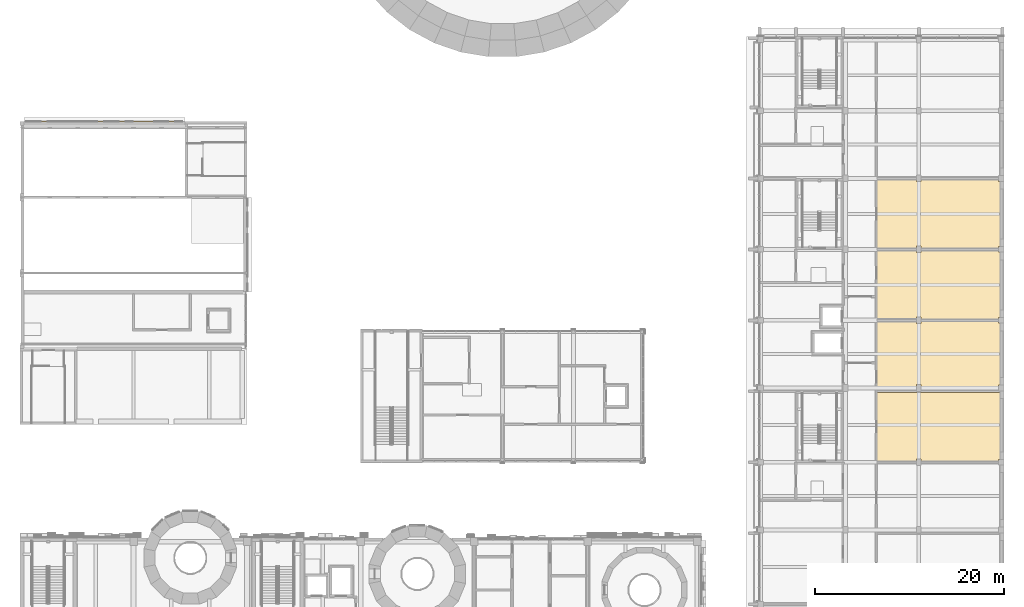
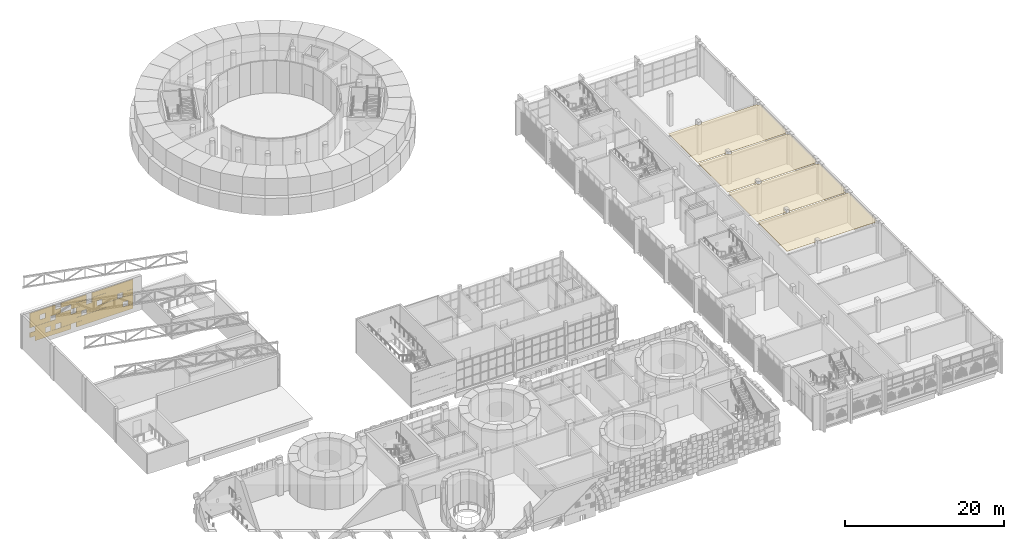
# One storey, part 116 of 125: 5 coverings.
"""IFC4 building model written with IfcOpenShell, lengths in metres."""

from ifc_helpers import new_model, si_unit, direction, frame, origin, origin_2d, place, context, subcontext, project, spatial, polyline, rectangle, outline, extrude, material, layer, layer_set, type_object, element, save


model = new_model("IFC4")

# Units and contexts
model_context = context("Model", 3, precision=1e-05, world=origin(), true_north=direction((0.0, 1.0)))
body_context = subcontext(model_context, "Body", "Model", "MODEL_VIEW")
ifc_project = project(units=[si_unit("LENGTHUNIT", "METRE"), si_unit("AREAUNIT", "SQUARE_METRE"), si_unit("VOLUMEUNIT", "CUBIC_METRE"), si_unit("PLANEANGLEUNIT", "RADIAN"), si_unit("MASSUNIT", "GRAM", prefix="KILO")], contexts=[model_context])

# Site, building, storey
site_placement = place(None, origin())
site = spatial("IfcSite", under=ifc_project, at=site_placement, CompositionType="ELEMENT")
building_placement = place(site_placement, origin())
building = spatial("IfcBuilding", under=site, at=building_placement, Name="Sun Court Science Centre", CompositionType="ELEMENT")
storey_placement = place(building_placement, frame((0.0, 0.0, 6.0)))
storey = spatial("IfcBuildingStorey", under=building, at=storey_placement, Name="L01", CompositionType="ELEMENT", Elevation=6.0)

# Coverings
ifc_material_1 = material(Name="Gypsum board")
ifc_layer_1 = layer(ifc_material_1, 0.030029296875)
ifc_layer_set_1 = layer_set([ifc_layer_1], Name="Gypsum board")
covering_type_1 = type_object("IfcCoveringType", Name="Ceiling suspended 600 module", PredefinedType="CEILING", material=ifc_layer_set_1)
covering_1_placement = place(storey_placement, frame((0.0, 0.0, 4.52001953125)))
element("IfcCovering", 1, at=covering_1_placement, inside=storey, type_object=covering_type_1, Name="L01-054 ceiling", PredefinedType="CEILING", context=body_context, shape_type="SweptSolid", body=[
    extrude(outline(polyline([(103.39990234375, 36.10009765625), (95.25, 36.10009765625), (95.25, 36.35009765625), (94.75, 36.35009765625), (94.75, 36.10009765625), (90.60009765625, 36.10009765625), (90.60009765625, 43.39990234375), (103.800048828125, 43.39990234375), (103.800048828125, 36.300048828125), (103.39990234375, 36.300048828125), (103.39990234375, 36.10009765625)])), origin(), (0.0, 0.0, 1.0), 0.030029296875),
])
covering_2_placement = place(storey_placement, frame((0.0, 0.0, 4.52001953125)))
element("IfcCovering", 2, at=covering_2_placement, inside=storey, type_object=covering_type_1, Name="L01-055 ceiling", PredefinedType="CEILING", context=body_context, shape_type="SweptSolid", body=[
    extrude(outline(polyline([(103.39990234375, 43.60009765625), (95.25, 43.60009765625), (95.25, 44.199951171875), (94.75, 44.199951171875), (94.75, 43.60009765625), (90.60009765625, 43.60009765625), (90.60009765625, 50.89990234375), (94.75, 50.89990234375), (94.75, 50.64990234375), (95.25, 50.64990234375), (95.25, 50.89990234375), (103.39990234375, 50.89990234375), (103.39990234375, 50.699951171875), (103.800048828125, 50.699951171875), (103.800048828125, 44.14990234375), (103.39990234375, 44.14990234375), (103.39990234375, 43.60009765625)])), origin(), (0.0, 0.0, 1.0), 0.030029296875),
])
covering_3_placement = place(storey_placement, frame((0.0, 0.0, 4.52001953125)))
element("IfcCovering", 3, at=covering_3_placement, inside=storey, type_object=covering_type_1, Name="L01-056 ceiling", PredefinedType="CEILING", context=body_context, shape_type="SweptSolid", body=[
    extrude(outline(polyline([(103.39990234375, 51.10009765625), (95.25, 51.10009765625), (95.25, 51.35009765625), (94.75, 51.35009765625), (94.75, 51.10009765625), (90.60009765625, 51.10009765625), (90.60009765625, 58.39990234375), (94.75, 58.39990234375), (94.75, 58.14990234375), (95.25, 58.14990234375), (95.25, 58.39990234375), (103.39990234375, 58.39990234375), (103.39990234375, 58.199951171875), (103.800048828125, 58.199951171875), (103.800048828125, 51.300048828125), (103.39990234375, 51.300048828125), (103.39990234375, 51.10009765625)])), origin(), (0.0, 0.0, 1.0), 0.030029296875),
])
covering_4_placement = place(storey_placement, frame((0.0, 0.0, 4.52001953125)))
element("IfcCovering", 4, at=covering_4_placement, inside=storey, type_object=covering_type_1, Name="L01-057 ceiling", PredefinedType="CEILING", context=body_context, shape_type="SweptSolid", body=[
    extrude(outline(polyline([(103.39990234375, 58.60009765625), (95.25, 58.60009765625), (95.25, 58.85009765625), (94.75, 58.85009765625), (94.75, 58.60009765625), (90.60009765625, 58.60009765625), (90.60009765625, 65.89990234375), (94.75, 65.89990234375), (94.75, 65.64990234375), (95.25, 65.64990234375), (95.25, 65.89990234375), (103.39990234375, 65.89990234375), (103.39990234375, 65.699951171875), (103.800048828125, 65.699951171875), (103.800048828125, 58.800048828125), (103.39990234375, 58.800048828125), (103.39990234375, 58.60009765625)])), origin(), (0.0, 0.0, 1.0), 0.030029296875),
])
ifc_material_2 = material(Name="Red sandstone", Category="masonry")
ifc_layer_2 = layer(ifc_material_2, 0.06005859375)
ifc_layer_set_2 = layer_set([ifc_layer_2], Name="Red sandstone")
covering_type_2 = type_object("IfcCoveringType", Name="Red sandstone wall cladding 750", PredefinedType="CLADDING", material=ifc_layer_set_2)
covering_5_placement = place(storey_placement, frame((0.0, 0.0, -6.0)))
element("IfcCovering", 5, at=covering_5_placement, inside=storey, type_object=covering_type_2, Name="Red sandstone wall cladding theatre-STAGE-north face-L01 L01", PredefinedType="CLADDING", context=body_context, shape_type="SweptSolid", body=[
    extrude(rectangle(XDim=0.739990234375, YDim=0.06005859375, at=origin_2d()), frame((2.550048828125, 72.030029296875, 6.0048828125), z_axis=(0.0, 0.0, 1.0), x_axis=(1.0, 0.0, 0.0)), (0.0, 0.0, 1.0), 0.739990234375),
    extrude(rectangle(XDim=0.739990234375, YDim=0.06005859375, at=origin_2d()), frame((3.300048828125, 72.030029296875, 6.0048828125), z_axis=(0.0, 0.0, 1.0), x_axis=(1.0, 0.0, 0.0)), (0.0, 0.0, 1.0), 0.739990234375),
    extrude(rectangle(XDim=0.739990234375, YDim=0.06005859375, at=origin_2d()), frame((4.050048828125, 72.030029296875, 6.0048828125), z_axis=(0.0, 0.0, 1.0), x_axis=(1.0, 0.0, 0.0)), (0.0, 0.0, 1.0), 0.739990234375),
    extrude(rectangle(XDim=0.739990234375, YDim=0.06005859375, at=origin_2d()), frame((4.800048828125, 72.030029296875, 6.0048828125), z_axis=(0.0, 0.0, 1.0), x_axis=(1.0, 0.0, 0.0)), (0.0, 0.0, 1.0), 0.739990234375),
    extrude(rectangle(XDim=0.739990234375, YDim=0.06005859375, at=origin_2d()), frame((5.550048828125, 72.030029296875, 6.0048828125), z_axis=(0.0, 0.0, 1.0), x_axis=(1.0, 0.0, 0.0)), (0.0, 0.0, 1.0), 0.739990234375),
    extrude(rectangle(XDim=0.739990234375, YDim=0.06005859375, at=origin_2d()), frame((6.300048828125, 72.030029296875, 6.0048828125), z_axis=(0.0, 0.0, 1.0), x_axis=(1.0, 0.0, 0.0)), (0.0, 0.0, 1.0), 0.739990234375),
    extrude(rectangle(XDim=0.739990234375, YDim=0.06005859375, at=origin_2d()), frame((7.050048828125, 72.030029296875, 6.0048828125), z_axis=(0.0, 0.0, 1.0), x_axis=(1.0, 0.0, 0.0)), (0.0, 0.0, 1.0), 0.739990234375),
    extrude(rectangle(XDim=0.739990234375, YDim=0.06005859375, at=origin_2d()), frame((8.550048828125, 72.030029296875, 6.0048828125), z_axis=(0.0, 0.0, 1.0), x_axis=(1.0, 0.0, 0.0)), (0.0, 0.0, 1.0), 0.739990234375),
    extrude(rectangle(XDim=0.739990234375, YDim=0.06005859375, at=origin_2d()), frame((9.300048828125, 72.030029296875, 6.0048828125), z_axis=(0.0, 0.0, 1.0), x_axis=(1.0, 0.0, 0.0)), (0.0, 0.0, 1.0), 0.739990234375),
    extrude(rectangle(XDim=0.739990234375, YDim=0.06005859375, at=origin_2d()), frame((10.050048828125, 72.030029296875, 6.0048828125), z_axis=(0.0, 0.0, 1.0), x_axis=(1.0, 0.0, 0.0)), (0.0, 0.0, 1.0), 0.739990234375),
    extrude(rectangle(XDim=0.739990234375, YDim=0.06005859375, at=origin_2d()), frame((10.800048828125, 72.030029296875, 6.0048828125), z_axis=(0.0, 0.0, 1.0), x_axis=(1.0, 0.0, 0.0)), (0.0, 0.0, 1.0), 0.739990234375),
    extrude(rectangle(XDim=0.739990234375, YDim=0.06005859375, at=origin_2d()), frame((11.550048828125, 72.030029296875, 6.0048828125), z_axis=(0.0, 0.0, 1.0), x_axis=(1.0, 0.0, 0.0)), (0.0, 0.0, 1.0), 0.739990234375),
    extrude(rectangle(XDim=0.739990234375, YDim=0.06005859375, at=origin_2d()), frame((12.300048828125, 72.030029296875, 6.0048828125), z_axis=(0.0, 0.0, 1.0), x_axis=(1.0, 0.0, 0.0)), (0.0, 0.0, 1.0), 0.739990234375),
    extrude(rectangle(XDim=0.739990234375, YDim=0.06005859375, at=origin_2d()), frame((13.050048828125, 72.030029296875, 6.0048828125), z_axis=(0.0, 0.0, 1.0), x_axis=(1.0, 0.0, 0.0)), (0.0, 0.0, 1.0), 0.739990234375),
    extrude(rectangle(XDim=0.739990234375, YDim=0.06005859375, at=origin_2d()), frame((13.800048828125, 72.030029296875, 6.0048828125), z_axis=(0.0, 0.0, 1.0), x_axis=(1.0, 0.0, 0.0)), (0.0, 0.0, 1.0), 0.739990234375),
    extrude(rectangle(XDim=0.739990234375, YDim=0.06005859375, at=origin_2d()), frame((14.550048828125, 72.030029296875, 6.0048828125), z_axis=(0.0, 0.0, 1.0), x_axis=(1.0, 0.0, 0.0)), (0.0, 0.0, 1.0), 0.739990234375),
    extrude(rectangle(XDim=0.739990234375, YDim=0.06005859375, at=origin_2d()), frame((15.300048828125, 72.030029296875, 6.0048828125), z_axis=(0.0, 0.0, 1.0), x_axis=(1.0, 0.0, 0.0)), (0.0, 0.0, 1.0), 0.739990234375),
    extrude(rectangle(XDim=0.739990234375, YDim=0.06005859375, at=origin_2d()), frame((16.050048828125, 72.030029296875, 6.0048828125), z_axis=(0.0, 0.0, 1.0), x_axis=(1.0, 0.0, 0.0)), (0.0, 0.0, 1.0), 0.739990234375),
    extrude(rectangle(XDim=0.739990234375, YDim=0.06005859375, at=origin_2d()), frame((1.800048828125, 72.030029296875, 6.7548828125), z_axis=(0.0, 0.0, 1.0), x_axis=(1.0, 0.0, 0.0)), (0.0, 0.0, 1.0), 0.739990234375),
    extrude(rectangle(XDim=0.739990234375, YDim=0.06005859375, at=origin_2d()), frame((2.550048828125, 72.030029296875, 6.7548828125), z_axis=(0.0, 0.0, 1.0), x_axis=(1.0, 0.0, 0.0)), (0.0, 0.0, 1.0), 0.739990234375),
    extrude(rectangle(XDim=0.739990234375, YDim=0.06005859375, at=origin_2d()), frame((3.300048828125, 72.030029296875, 6.7548828125), z_axis=(0.0, 0.0, 1.0), x_axis=(1.0, 0.0, 0.0)), (0.0, 0.0, 1.0), 0.739990234375),
    extrude(rectangle(XDim=0.739990234375, YDim=0.06005859375, at=origin_2d()), frame((4.800048828125, 72.030029296875, 6.7548828125), z_axis=(0.0, 0.0, 1.0), x_axis=(1.0, 0.0, 0.0)), (0.0, 0.0, 1.0), 0.739990234375),
    extrude(rectangle(XDim=0.739990234375, YDim=0.06005859375, at=origin_2d()), frame((6.300048828125, 72.030029296875, 6.7548828125), z_axis=(0.0, 0.0, 1.0), x_axis=(1.0, 0.0, 0.0)), (0.0, 0.0, 1.0), 0.739990234375),
    extrude(rectangle(XDim=0.739990234375, YDim=0.06005859375, at=origin_2d()), frame((7.050048828125, 72.030029296875, 6.7548828125), z_axis=(0.0, 0.0, 1.0), x_axis=(1.0, 0.0, 0.0)), (0.0, 0.0, 1.0), 0.739990234375),
    extrude(rectangle(XDim=0.739990234375, YDim=0.06005859375, at=origin_2d()), frame((7.800048828125, 72.030029296875, 6.7548828125), z_axis=(0.0, 0.0, 1.0), x_axis=(1.0, 0.0, 0.0)), (0.0, 0.0, 1.0), 0.739990234375),
    extrude(rectangle(XDim=0.739990234375, YDim=0.06005859375, at=origin_2d()), frame((8.550048828125, 72.030029296875, 6.7548828125), z_axis=(0.0, 0.0, 1.0), x_axis=(1.0, 0.0, 0.0)), (0.0, 0.0, 1.0), 0.739990234375),
    extrude(rectangle(XDim=0.739990234375, YDim=0.06005859375, at=origin_2d()), frame((9.300048828125, 72.030029296875, 6.7548828125), z_axis=(0.0, 0.0, 1.0), x_axis=(1.0, 0.0, 0.0)), (0.0, 0.0, 1.0), 0.739990234375),
    extrude(rectangle(XDim=0.739990234375, YDim=0.06005859375, at=origin_2d()), frame((10.050048828125, 72.030029296875, 6.7548828125), z_axis=(0.0, 0.0, 1.0), x_axis=(1.0, 0.0, 0.0)), (0.0, 0.0, 1.0), 0.739990234375),
    extrude(rectangle(XDim=0.739990234375, YDim=0.06005859375, at=origin_2d()), frame((10.800048828125, 72.030029296875, 6.7548828125), z_axis=(0.0, 0.0, 1.0), x_axis=(1.0, 0.0, 0.0)), (0.0, 0.0, 1.0), 0.739990234375),
    extrude(rectangle(XDim=0.739990234375, YDim=0.06005859375, at=origin_2d()), frame((11.550048828125, 72.030029296875, 6.7548828125), z_axis=(0.0, 0.0, 1.0), x_axis=(1.0, 0.0, 0.0)), (0.0, 0.0, 1.0), 0.739990234375),
    extrude(rectangle(XDim=0.739990234375, YDim=0.06005859375, at=origin_2d()), frame((12.300048828125, 72.030029296875, 6.7548828125), z_axis=(0.0, 0.0, 1.0), x_axis=(1.0, 0.0, 0.0)), (0.0, 0.0, 1.0), 0.739990234375),
    extrude(rectangle(XDim=0.739990234375, YDim=0.06005859375, at=origin_2d()), frame((13.050048828125, 72.030029296875, 6.7548828125), z_axis=(0.0, 0.0, 1.0), x_axis=(1.0, 0.0, 0.0)), (0.0, 0.0, 1.0), 0.739990234375),
    extrude(rectangle(XDim=0.739990234375, YDim=0.06005859375, at=origin_2d()), frame((13.800048828125, 72.030029296875, 6.7548828125), z_axis=(0.0, 0.0, 1.0), x_axis=(1.0, 0.0, 0.0)), (0.0, 0.0, 1.0), 0.739990234375),
    extrude(rectangle(XDim=0.739990234375, YDim=0.06005859375, at=origin_2d()), frame((14.550048828125, 72.030029296875, 6.7548828125), z_axis=(0.0, 0.0, 1.0), x_axis=(1.0, 0.0, 0.0)), (0.0, 0.0, 1.0), 0.739990234375),
    extrude(rectangle(XDim=0.739990234375, YDim=0.06005859375, at=origin_2d()), frame((16.050048828125, 72.030029296875, 6.7548828125), z_axis=(0.0, 0.0, 1.0), x_axis=(1.0, 0.0, 0.0)), (0.0, 0.0, 1.0), 0.739990234375),
    extrude(rectangle(XDim=0.739990234375, YDim=0.06005859375, at=origin_2d()), frame((2.550048828125, 72.030029296875, 7.5048828125), z_axis=(0.0, 0.0, 1.0), x_axis=(1.0, 0.0, 0.0)), (0.0, 0.0, 1.0), 0.739990234375),
    extrude(rectangle(XDim=0.739990234375, YDim=0.06005859375, at=origin_2d()), frame((3.300048828125, 72.030029296875, 7.5048828125), z_axis=(0.0, 0.0, 1.0), x_axis=(1.0, 0.0, 0.0)), (0.0, 0.0, 1.0), 0.739990234375),
    extrude(rectangle(XDim=0.739990234375, YDim=0.06005859375, at=origin_2d()), frame((4.050048828125, 72.030029296875, 7.5048828125), z_axis=(0.0, 0.0, 1.0), x_axis=(1.0, 0.0, 0.0)), (0.0, 0.0, 1.0), 0.739990234375),
    extrude(rectangle(XDim=0.739990234375, YDim=0.06005859375, at=origin_2d()), frame((4.800048828125, 72.030029296875, 7.5048828125), z_axis=(0.0, 0.0, 1.0), x_axis=(1.0, 0.0, 0.0)), (0.0, 0.0, 1.0), 0.739990234375),
    extrude(rectangle(XDim=0.739990234375, YDim=0.06005859375, at=origin_2d()), frame((5.550048828125, 72.030029296875, 7.5048828125), z_axis=(0.0, 0.0, 1.0), x_axis=(1.0, 0.0, 0.0)), (0.0, 0.0, 1.0), 0.739990234375),
    extrude(rectangle(XDim=0.739990234375, YDim=0.06005859375, at=origin_2d()), frame((6.300048828125, 72.030029296875, 7.5048828125), z_axis=(0.0, 0.0, 1.0), x_axis=(1.0, 0.0, 0.0)), (0.0, 0.0, 1.0), 0.739990234375),
    extrude(rectangle(XDim=0.739990234375, YDim=0.06005859375, at=origin_2d()), frame((7.050048828125, 72.030029296875, 7.5048828125), z_axis=(0.0, 0.0, 1.0), x_axis=(1.0, 0.0, 0.0)), (0.0, 0.0, 1.0), 0.739990234375),
    extrude(rectangle(XDim=0.739990234375, YDim=0.06005859375, at=origin_2d()), frame((7.800048828125, 72.030029296875, 7.5048828125), z_axis=(0.0, 0.0, 1.0), x_axis=(1.0, 0.0, 0.0)), (0.0, 0.0, 1.0), 0.739990234375),
    extrude(rectangle(XDim=0.739990234375, YDim=0.06005859375, at=origin_2d()), frame((8.550048828125, 72.030029296875, 7.5048828125), z_axis=(0.0, 0.0, 1.0), x_axis=(1.0, 0.0, 0.0)), (0.0, 0.0, 1.0), 0.739990234375),
    extrude(rectangle(XDim=0.739990234375, YDim=0.06005859375, at=origin_2d()), frame((10.050048828125, 72.030029296875, 7.5048828125), z_axis=(0.0, 0.0, 1.0), x_axis=(1.0, 0.0, 0.0)), (0.0, 0.0, 1.0), 0.739990234375),
    extrude(rectangle(XDim=0.739990234375, YDim=0.06005859375, at=origin_2d()), frame((10.800048828125, 72.030029296875, 7.5048828125), z_axis=(0.0, 0.0, 1.0), x_axis=(1.0, 0.0, 0.0)), (0.0, 0.0, 1.0), 0.739990234375),
    extrude(rectangle(XDim=0.739990234375, YDim=0.06005859375, at=origin_2d()), frame((11.550048828125, 72.030029296875, 7.5048828125), z_axis=(0.0, 0.0, 1.0), x_axis=(1.0, 0.0, 0.0)), (0.0, 0.0, 1.0), 0.739990234375),
    extrude(rectangle(XDim=0.739990234375, YDim=0.06005859375, at=origin_2d()), frame((12.300048828125, 72.030029296875, 7.5048828125), z_axis=(0.0, 0.0, 1.0), x_axis=(1.0, 0.0, 0.0)), (0.0, 0.0, 1.0), 0.739990234375),
    extrude(rectangle(XDim=0.739990234375, YDim=0.06005859375, at=origin_2d()), frame((13.050048828125, 72.030029296875, 7.5048828125), z_axis=(0.0, 0.0, 1.0), x_axis=(1.0, 0.0, 0.0)), (0.0, 0.0, 1.0), 0.739990234375),
    extrude(rectangle(XDim=0.739990234375, YDim=0.06005859375, at=origin_2d()), frame((13.800048828125, 72.030029296875, 7.5048828125), z_axis=(0.0, 0.0, 1.0), x_axis=(1.0, 0.0, 0.0)), (0.0, 0.0, 1.0), 0.739990234375),
    extrude(rectangle(XDim=0.739990234375, YDim=0.06005859375, at=origin_2d()), frame((14.550048828125, 72.030029296875, 7.5048828125), z_axis=(0.0, 0.0, 1.0), x_axis=(1.0, 0.0, 0.0)), (0.0, 0.0, 1.0), 0.739990234375),
    extrude(rectangle(XDim=0.739990234375, YDim=0.06005859375, at=origin_2d()), frame((15.300048828125, 72.030029296875, 7.5048828125), z_axis=(0.0, 0.0, 1.0), x_axis=(1.0, 0.0, 0.0)), (0.0, 0.0, 1.0), 0.739990234375),
    extrude(rectangle(XDim=0.739990234375, YDim=0.06005859375, at=origin_2d()), frame((16.050048828125, 72.030029296875, 7.5048828125), z_axis=(0.0, 0.0, 1.0), x_axis=(1.0, 0.0, 0.0)), (0.0, 0.0, 1.0), 0.739990234375),
    extrude(rectangle(XDim=0.739990234375, YDim=0.06005859375, at=origin_2d()), frame((1.800048828125, 72.030029296875, 8.2548828125), z_axis=(0.0, 0.0, 1.0), x_axis=(1.0, 0.0, 0.0)), (0.0, 0.0, 1.0), 0.739990234375),
    extrude(rectangle(XDim=0.739990234375, YDim=0.06005859375, at=origin_2d()), frame((2.550048828125, 72.030029296875, 8.2548828125), z_axis=(0.0, 0.0, 1.0), x_axis=(1.0, 0.0, 0.0)), (0.0, 0.0, 1.0), 0.739990234375),
    extrude(rectangle(XDim=0.739990234375, YDim=0.06005859375, at=origin_2d()), frame((3.300048828125, 72.030029296875, 8.2548828125), z_axis=(0.0, 0.0, 1.0), x_axis=(1.0, 0.0, 0.0)), (0.0, 0.0, 1.0), 0.739990234375),
    extrude(rectangle(XDim=0.739990234375, YDim=0.06005859375, at=origin_2d()), frame((4.050048828125, 72.030029296875, 8.2548828125), z_axis=(0.0, 0.0, 1.0), x_axis=(1.0, 0.0, 0.0)), (0.0, 0.0, 1.0), 0.739990234375),
    extrude(rectangle(XDim=0.739990234375, YDim=0.06005859375, at=origin_2d()), frame((5.550048828125, 72.030029296875, 8.2548828125), z_axis=(0.0, 0.0, 1.0), x_axis=(1.0, 0.0, 0.0)), (0.0, 0.0, 1.0), 0.739990234375),
    extrude(rectangle(XDim=0.739990234375, YDim=0.06005859375, at=origin_2d()), frame((6.300048828125, 72.030029296875, 8.2548828125), z_axis=(0.0, 0.0, 1.0), x_axis=(1.0, 0.0, 0.0)), (0.0, 0.0, 1.0), 0.739990234375),
    extrude(rectangle(XDim=0.739990234375, YDim=0.06005859375, at=origin_2d()), frame((7.050048828125, 72.030029296875, 8.2548828125), z_axis=(0.0, 0.0, 1.0), x_axis=(1.0, 0.0, 0.0)), (0.0, 0.0, 1.0), 0.739990234375),
    extrude(rectangle(XDim=0.739990234375, YDim=0.06005859375, at=origin_2d()), frame((8.550048828125, 72.030029296875, 8.2548828125), z_axis=(0.0, 0.0, 1.0), x_axis=(1.0, 0.0, 0.0)), (0.0, 0.0, 1.0), 0.739990234375),
    extrude(rectangle(XDim=0.739990234375, YDim=0.06005859375, at=origin_2d()), frame((9.300048828125, 72.030029296875, 8.2548828125), z_axis=(0.0, 0.0, 1.0), x_axis=(1.0, 0.0, 0.0)), (0.0, 0.0, 1.0), 0.739990234375),
    extrude(rectangle(XDim=0.739990234375, YDim=0.06005859375, at=origin_2d()), frame((10.050048828125, 72.030029296875, 8.2548828125), z_axis=(0.0, 0.0, 1.0), x_axis=(1.0, 0.0, 0.0)), (0.0, 0.0, 1.0), 0.739990234375),
    extrude(rectangle(XDim=0.739990234375, YDim=0.06005859375, at=origin_2d()), frame((10.800048828125, 72.030029296875, 8.2548828125), z_axis=(0.0, 0.0, 1.0), x_axis=(1.0, 0.0, 0.0)), (0.0, 0.0, 1.0), 0.739990234375),
    extrude(rectangle(XDim=0.739990234375, YDim=0.06005859375, at=origin_2d()), frame((12.300048828125, 72.030029296875, 8.2548828125), z_axis=(0.0, 0.0, 1.0), x_axis=(1.0, 0.0, 0.0)), (0.0, 0.0, 1.0), 0.739990234375),
    extrude(rectangle(XDim=0.739990234375, YDim=0.06005859375, at=origin_2d()), frame((13.050048828125, 72.030029296875, 8.2548828125), z_axis=(0.0, 0.0, 1.0), x_axis=(1.0, 0.0, 0.0)), (0.0, 0.0, 1.0), 0.739990234375),
    extrude(rectangle(XDim=0.739990234375, YDim=0.06005859375, at=origin_2d()), frame((13.800048828125, 72.030029296875, 8.2548828125), z_axis=(0.0, 0.0, 1.0), x_axis=(1.0, 0.0, 0.0)), (0.0, 0.0, 1.0), 0.739990234375),
    extrude(rectangle(XDim=0.739990234375, YDim=0.06005859375, at=origin_2d()), frame((15.300048828125, 72.030029296875, 8.2548828125), z_axis=(0.0, 0.0, 1.0), x_axis=(1.0, 0.0, 0.0)), (0.0, 0.0, 1.0), 0.739990234375),
    extrude(rectangle(XDim=0.739990234375, YDim=0.06005859375, at=origin_2d()), frame((16.050048828125, 72.030029296875, 8.2548828125), z_axis=(0.0, 0.0, 1.0), x_axis=(1.0, 0.0, 0.0)), (0.0, 0.0, 1.0), 0.739990234375),
    extrude(rectangle(XDim=0.739990234375, YDim=0.06005859375, at=origin_2d()), frame((1.800048828125, 72.030029296875, 9.0048828125), z_axis=(0.0, 0.0, 1.0), x_axis=(1.0, 0.0, 0.0)), (0.0, 0.0, 1.0), 0.739990234375),
    extrude(rectangle(XDim=0.739990234375, YDim=0.06005859375, at=origin_2d()), frame((2.550048828125, 72.030029296875, 9.0048828125), z_axis=(0.0, 0.0, 1.0), x_axis=(1.0, 0.0, 0.0)), (0.0, 0.0, 1.0), 0.739990234375),
    extrude(rectangle(XDim=0.739990234375, YDim=0.06005859375, at=origin_2d()), frame((4.050048828125, 72.030029296875, 9.0048828125), z_axis=(0.0, 0.0, 1.0), x_axis=(1.0, 0.0, 0.0)), (0.0, 0.0, 1.0), 0.739990234375),
    extrude(rectangle(XDim=0.739990234375, YDim=0.06005859375, at=origin_2d()), frame((4.800048828125, 72.030029296875, 9.0048828125), z_axis=(0.0, 0.0, 1.0), x_axis=(1.0, 0.0, 0.0)), (0.0, 0.0, 1.0), 0.739990234375),
    extrude(rectangle(XDim=0.739990234375, YDim=0.06005859375, at=origin_2d()), frame((5.550048828125, 72.030029296875, 9.0048828125), z_axis=(0.0, 0.0, 1.0), x_axis=(1.0, 0.0, 0.0)), (0.0, 0.0, 1.0), 0.739990234375),
    extrude(rectangle(XDim=0.739990234375, YDim=0.06005859375, at=origin_2d()), frame((7.800048828125, 72.030029296875, 9.0048828125), z_axis=(0.0, 0.0, 1.0), x_axis=(1.0, 0.0, 0.0)), (0.0, 0.0, 1.0), 0.739990234375),
    extrude(rectangle(XDim=0.739990234375, YDim=0.06005859375, at=origin_2d()), frame((8.550048828125, 72.030029296875, 9.0048828125), z_axis=(0.0, 0.0, 1.0), x_axis=(1.0, 0.0, 0.0)), (0.0, 0.0, 1.0), 0.739990234375),
    extrude(rectangle(XDim=0.739990234375, YDim=0.06005859375, at=origin_2d()), frame((9.300048828125, 72.030029296875, 9.0048828125), z_axis=(0.0, 0.0, 1.0), x_axis=(1.0, 0.0, 0.0)), (0.0, 0.0, 1.0), 0.739990234375),
    extrude(rectangle(XDim=0.739990234375, YDim=0.06005859375, at=origin_2d()), frame((10.800048828125, 72.030029296875, 9.0048828125), z_axis=(0.0, 0.0, 1.0), x_axis=(1.0, 0.0, 0.0)), (0.0, 0.0, 1.0), 0.739990234375),
    extrude(rectangle(XDim=0.739990234375, YDim=0.06005859375, at=origin_2d()), frame((11.550048828125, 72.030029296875, 9.0048828125), z_axis=(0.0, 0.0, 1.0), x_axis=(1.0, 0.0, 0.0)), (0.0, 0.0, 1.0), 0.739990234375),
    extrude(rectangle(XDim=0.739990234375, YDim=0.06005859375, at=origin_2d()), frame((12.300048828125, 72.030029296875, 9.0048828125), z_axis=(0.0, 0.0, 1.0), x_axis=(1.0, 0.0, 0.0)), (0.0, 0.0, 1.0), 0.739990234375),
    extrude(rectangle(XDim=0.739990234375, YDim=0.06005859375, at=origin_2d()), frame((13.050048828125, 72.030029296875, 9.0048828125), z_axis=(0.0, 0.0, 1.0), x_axis=(1.0, 0.0, 0.0)), (0.0, 0.0, 1.0), 0.739990234375),
    extrude(rectangle(XDim=0.739990234375, YDim=0.06005859375, at=origin_2d()), frame((13.800048828125, 72.030029296875, 9.0048828125), z_axis=(0.0, 0.0, 1.0), x_axis=(1.0, 0.0, 0.0)), (0.0, 0.0, 1.0), 0.739990234375),
    extrude(rectangle(XDim=0.739990234375, YDim=0.06005859375, at=origin_2d()), frame((14.550048828125, 72.030029296875, 9.0048828125), z_axis=(0.0, 0.0, 1.0), x_axis=(1.0, 0.0, 0.0)), (0.0, 0.0, 1.0), 0.739990234375),
    extrude(rectangle(XDim=0.739990234375, YDim=0.06005859375, at=origin_2d()), frame((15.300048828125, 72.030029296875, 9.0048828125), z_axis=(0.0, 0.0, 1.0), x_axis=(1.0, 0.0, 0.0)), (0.0, 0.0, 1.0), 0.739990234375),
    extrude(rectangle(XDim=0.739990234375, YDim=0.06005859375, at=origin_2d()), frame((16.050048828125, 72.030029296875, 9.0048828125), z_axis=(0.0, 0.0, 1.0), x_axis=(1.0, 0.0, 0.0)), (0.0, 0.0, 1.0), 0.739990234375),
    extrude(rectangle(XDim=0.739990234375, YDim=0.06005859375, at=origin_2d()), frame((1.800048828125, 72.030029296875, 9.7548828125), z_axis=(0.0, 0.0, 1.0), x_axis=(1.0, 0.0, 0.0)), (0.0, 0.0, 1.0), 0.739990234375),
    extrude(rectangle(XDim=0.739990234375, YDim=0.06005859375, at=origin_2d()), frame((2.550048828125, 72.030029296875, 9.7548828125), z_axis=(0.0, 0.0, 1.0), x_axis=(1.0, 0.0, 0.0)), (0.0, 0.0, 1.0), 0.739990234375),
    extrude(rectangle(XDim=0.739990234375, YDim=0.06005859375, at=origin_2d()), frame((3.300048828125, 72.030029296875, 9.7548828125), z_axis=(0.0, 0.0, 1.0), x_axis=(1.0, 0.0, 0.0)), (0.0, 0.0, 1.0), 0.739990234375),
    extrude(rectangle(XDim=0.739990234375, YDim=0.06005859375, at=origin_2d()), frame((4.050048828125, 72.030029296875, 9.7548828125), z_axis=(0.0, 0.0, 1.0), x_axis=(1.0, 0.0, 0.0)), (0.0, 0.0, 1.0), 0.739990234375),
    extrude(rectangle(XDim=0.739990234375, YDim=0.06005859375, at=origin_2d()), frame((4.800048828125, 72.030029296875, 9.7548828125), z_axis=(0.0, 0.0, 1.0), x_axis=(1.0, 0.0, 0.0)), (0.0, 0.0, 1.0), 0.739990234375),
    extrude(rectangle(XDim=0.739990234375, YDim=0.06005859375, at=origin_2d()), frame((6.300048828125, 72.030029296875, 9.7548828125), z_axis=(0.0, 0.0, 1.0), x_axis=(1.0, 0.0, 0.0)), (0.0, 0.0, 1.0), 0.739990234375),
    extrude(rectangle(XDim=0.739990234375, YDim=0.06005859375, at=origin_2d()), frame((7.050048828125, 72.030029296875, 9.7548828125), z_axis=(0.0, 0.0, 1.0), x_axis=(1.0, 0.0, 0.0)), (0.0, 0.0, 1.0), 0.739990234375),
    extrude(rectangle(XDim=0.739990234375, YDim=0.06005859375, at=origin_2d()), frame((7.800048828125, 72.030029296875, 9.7548828125), z_axis=(0.0, 0.0, 1.0), x_axis=(1.0, 0.0, 0.0)), (0.0, 0.0, 1.0), 0.739990234375),
    extrude(rectangle(XDim=0.739990234375, YDim=0.06005859375, at=origin_2d()), frame((8.550048828125, 72.030029296875, 9.7548828125), z_axis=(0.0, 0.0, 1.0), x_axis=(1.0, 0.0, 0.0)), (0.0, 0.0, 1.0), 0.739990234375),
    extrude(rectangle(XDim=0.739990234375, YDim=0.06005859375, at=origin_2d()), frame((9.300048828125, 72.030029296875, 9.7548828125), z_axis=(0.0, 0.0, 1.0), x_axis=(1.0, 0.0, 0.0)), (0.0, 0.0, 1.0), 0.739990234375),
    extrude(rectangle(XDim=0.739990234375, YDim=0.06005859375, at=origin_2d()), frame((10.800048828125, 72.030029296875, 9.7548828125), z_axis=(0.0, 0.0, 1.0), x_axis=(1.0, 0.0, 0.0)), (0.0, 0.0, 1.0), 0.739990234375),
    extrude(rectangle(XDim=0.739990234375, YDim=0.06005859375, at=origin_2d()), frame((11.550048828125, 72.030029296875, 9.7548828125), z_axis=(0.0, 0.0, 1.0), x_axis=(1.0, 0.0, 0.0)), (0.0, 0.0, 1.0), 0.739990234375),
    extrude(rectangle(XDim=0.739990234375, YDim=0.06005859375, at=origin_2d()), frame((12.300048828125, 72.030029296875, 9.7548828125), z_axis=(0.0, 0.0, 1.0), x_axis=(1.0, 0.0, 0.0)), (0.0, 0.0, 1.0), 0.739990234375),
    extrude(rectangle(XDim=0.739990234375, YDim=0.06005859375, at=origin_2d()), frame((13.050048828125, 72.030029296875, 9.7548828125), z_axis=(0.0, 0.0, 1.0), x_axis=(1.0, 0.0, 0.0)), (0.0, 0.0, 1.0), 0.739990234375),
    extrude(rectangle(XDim=0.739990234375, YDim=0.06005859375, at=origin_2d()), frame((13.800048828125, 72.030029296875, 9.7548828125), z_axis=(0.0, 0.0, 1.0), x_axis=(1.0, 0.0, 0.0)), (0.0, 0.0, 1.0), 0.739990234375),
    extrude(rectangle(XDim=0.739990234375, YDim=0.06005859375, at=origin_2d()), frame((14.550048828125, 72.030029296875, 9.7548828125), z_axis=(0.0, 0.0, 1.0), x_axis=(1.0, 0.0, 0.0)), (0.0, 0.0, 1.0), 0.739990234375),
    extrude(rectangle(XDim=0.739990234375, YDim=0.06005859375, at=origin_2d()), frame((15.300048828125, 72.030029296875, 9.7548828125), z_axis=(0.0, 0.0, 1.0), x_axis=(1.0, 0.0, 0.0)), (0.0, 0.0, 1.0), 0.739990234375),
    extrude(rectangle(XDim=0.739990234375, YDim=0.06005859375, at=origin_2d()), frame((16.050048828125, 72.030029296875, 9.7548828125), z_axis=(0.0, 0.0, 1.0), x_axis=(1.0, 0.0, 0.0)), (0.0, 0.0, 1.0), 0.739990234375),
])

save(model, "model.ifc")
